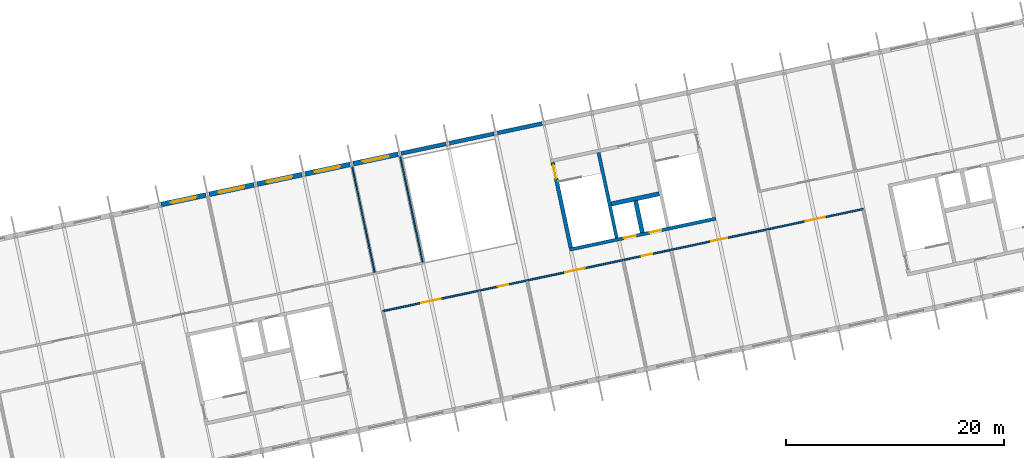
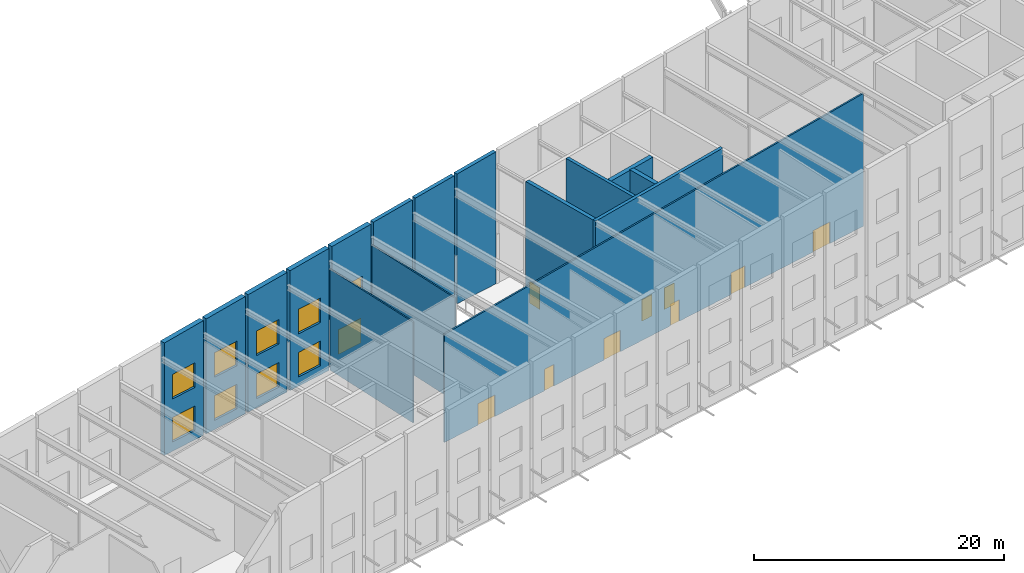
# One storey, part 46 of 69: 16 walls, 10 windows, 9 doors, 19 openings.
"""IFC4 building model written with IfcOpenShell, lengths in metres."""

from ifc_helpers import new_model, si_unit, direction, frame, frame_2d, origin, place, context, subcontext, project, spatial, polyline, rectangle, outline, extrude, material, layer, layer_set, type_object, element, fill, save


model = new_model("IFC4")

# Units and contexts
model_context = context("Model", 3, precision=1e-05, world=origin(), true_north=direction((0.0, 1.0)))
body_context = subcontext(model_context, "Body", "Model", "MODEL_VIEW")
ifc_project = project(units=[si_unit("LENGTHUNIT", "METRE"), si_unit("AREAUNIT", "SQUARE_METRE"), si_unit("VOLUMEUNIT", "CUBIC_METRE"), si_unit("PLANEANGLEUNIT", "RADIAN"), si_unit("MASSUNIT", "GRAM", prefix="KILO")], contexts=[model_context])

# Site, building, storey
site_placement = place(None, origin())
site = spatial("IfcSite", under=ifc_project, at=site_placement, CompositionType="ELEMENT")
building_placement = place(site_placement, origin())
building = spatial("IfcBuilding", under=site, at=building_placement, Name="Okhra Congress Centre", CompositionType="ELEMENT")
storey_placement = place(building_placement, frame((0.0, 0.0, 16.800048828125)))
storey = spatial("IfcBuildingStorey", under=building, at=storey_placement, Name="L03", CompositionType="ELEMENT", Elevation=16.800048828125)

# Wall, openings, windows
ifc_material_1 = material(Name="Insulated metal panel on steel stud (mineral wool, vapour barrier)", Category="steel")
ifc_layer_1 = layer(ifc_material_1, 0.449951171875)
ifc_layer_set_1 = layer_set([ifc_layer_1], Name="Insulated wall 450")
wall_type_1 = type_object("IfcWallType", Name="Insulated wall 450", PredefinedType="SOLIDWALL", material=ifc_layer_set_1)
wall_1_placement = place(storey_placement, frame((130.99609375, 66.22119140625, 0.0), z_axis=(0.0, 0.0, 1.0), x_axis=(0.978143927149, 0.207928972925, 0.0)))
wall_1 = element("IfcWall", 1, at=wall_1_placement, inside=storey, type_object=wall_type_1, Name="External wall N18 L03", PredefinedType="SOLIDWALL", context=body_context, shape_type="SweptSolid", body=[
    extrude(outline(polyline([(0.0, 0.0), (4.199951171875, 0.0), (4.199951171875, 11.18798828125), (0.0, 10.96337890625), (0.0, 0.0)])), frame((0.0, 0.22509765625, 0.0), z_axis=(0.0, -1.0, 0.0), x_axis=(1.0, 0.0, 0.0)), (0.0, 0.0, 1.0), 0.449951171875),
])
opening_1_placement = place(wall_1_placement, frame((0.89990234375, 0.0, 0.89990234375)))
opening_1 = element("IfcOpeningElement", 2, at=opening_1_placement, cuts=wall_1, Name="Opening WN22", PredefinedType="OPENING", context=body_context, shape_type="SweptSolid", body=[
    extrude(rectangle(XDim=2.39990234375, YDim=2.39990234375, at=frame_2d((1.199951171875, 1.199951171875))), frame((0.0, 0.23486328125, 0.0), z_axis=(0.0, -1.0, 0.0), x_axis=(1.0, 0.0, 0.0)), (0.0, 0.0, 1.0), 0.469970703125),
])
opening_2_placement = place(wall_1_placement, frame((0.89990234375, 0.0, 5.10009765625)))
opening_2 = element("IfcOpeningElement", 3, at=opening_2_placement, cuts=wall_1, Name="Opening WN22", PredefinedType="OPENING", context=body_context, shape_type="SweptSolid", body=[
    extrude(rectangle(XDim=2.39990234375, YDim=2.39990234375, at=frame_2d((1.199951171875, 1.199951171875))), frame((0.0, 0.23486328125, 0.0), z_axis=(0.0, -1.0, 0.0), x_axis=(1.0, 0.0, 0.0)), (0.0, 0.0, 1.0), 0.469970703125),
])
ifc_material_2 = material(Name="Thermally broken aluminium frame, triple glazing", Category="aluminium")
window_type = type_object("IfcWindowType", Name="Fixed window 2400x2400", PartitioningType="SINGLE_PANEL", PredefinedType="WINDOW", material=ifc_material_2)
window_1_placement = place(opening_1_placement, origin())
window_1 = element("IfcWindow", 4, at=window_1_placement, inside=storey, type_object=window_type, Name="BX.WIN.L03.97", OverallHeight=2.39990234375, OverallWidth=2.39990234375, PartitioningType="SINGLE_PANEL", PredefinedType="WINDOW", context=body_context, shape_type="SweptSolid", body=[
    extrude(rectangle(XDim=2.39990234375, YDim=2.39990234375, at=frame_2d((1.199951171875, 1.199951171875))), frame((0.0, 0.030029296875, 0.0), z_axis=(0.0, -1.0, 0.0), x_axis=(1.0, 0.0, 0.0)), (0.0, 0.0, 1.0), 0.06005859375),
])
fill(opening_1, window_1)
window_2_placement = place(opening_2_placement, origin())
window_2 = element("IfcWindow", 5, at=window_2_placement, inside=storey, type_object=window_type, Name="BX.WIN.L03.98", OverallHeight=2.39990234375, OverallWidth=2.39990234375, PartitioningType="SINGLE_PANEL", PredefinedType="WINDOW", context=body_context, shape_type="SweptSolid", body=[
    extrude(rectangle(XDim=2.39990234375, YDim=2.39990234375, at=frame_2d((1.199951171875, 1.199951171875))), frame((0.0, 0.030029296875, 0.0), z_axis=(0.0, -1.0, 0.0), x_axis=(1.0, 0.0, 0.0)), (0.0, 0.0, 1.0), 0.06005859375),
])
fill(opening_2, window_2)

wall_2_placement = place(storey_placement, frame((135.397705078125, 67.15673828125, 0.0), z_axis=(0.0, 0.0, 1.0), x_axis=(0.978146440129, 0.207917150959, 0.0)))
wall_2 = element("IfcWall", 6, at=wall_2_placement, inside=storey, type_object=wall_type_1, Name="External wall N19 L03", PredefinedType="SOLIDWALL", context=body_context, shape_type="SweptSolid", body=[
    extrude(outline(polyline([(0.0, 0.0), (4.2001953125, 0.0), (4.199951171875, 11.4287109375), (0.0, 11.2041015625), (0.0, 0.0)])), frame((0.0, 0.22509765625, 0.0), z_axis=(0.0, -1.0, 0.0), x_axis=(1.0, 0.0, 0.0)), (0.0, 0.0, 1.0), 0.449951171875),
])
opening_3_placement = place(wall_2_placement, frame((0.89990234375, 0.0, 0.89990234375)))
opening_3 = element("IfcOpeningElement", 7, at=opening_3_placement, cuts=wall_2, Name="Opening WN22", PredefinedType="OPENING", context=body_context, shape_type="SweptSolid", body=[
    extrude(rectangle(XDim=2.39990234375, YDim=2.39990234375, at=frame_2d((1.199951171875, 1.199951171875))), frame((0.0, 0.23486328125, 0.0), z_axis=(0.0, -1.0, 0.0), x_axis=(1.0, 0.0, 0.0)), (0.0, 0.0, 1.0), 0.469970703125),
])
opening_4_placement = place(wall_2_placement, frame((0.89990234375, 0.0, 5.10009765625)))
opening_4 = element("IfcOpeningElement", 8, at=opening_4_placement, cuts=wall_2, Name="Opening WN22", PredefinedType="OPENING", context=body_context, shape_type="SweptSolid", body=[
    extrude(rectangle(XDim=2.39990234375, YDim=2.39990234375, at=frame_2d((1.199951171875, 1.199951171875))), frame((0.0, 0.23486328125, 0.0), z_axis=(0.0, -1.0, 0.0), x_axis=(1.0, 0.0, 0.0)), (0.0, 0.0, 1.0), 0.469970703125),
])
window_3_placement = place(opening_3_placement, origin())
window_3 = element("IfcWindow", 9, at=window_3_placement, inside=storey, type_object=window_type, Name="BX.WIN.L03.99", OverallHeight=2.39990234375, OverallWidth=2.39990234375, PartitioningType="SINGLE_PANEL", PredefinedType="WINDOW", context=body_context, shape_type="SweptSolid", body=[
    extrude(rectangle(XDim=2.39990234375, YDim=2.39990234375, at=frame_2d((1.199951171875, 1.199951171875))), frame((0.0, 0.030029296875, 0.0), z_axis=(0.0, -1.0, 0.0), x_axis=(1.0, 0.0, 0.0)), (0.0, 0.0, 1.0), 0.06005859375),
])
fill(opening_3, window_3)
window_4_placement = place(opening_4_placement, origin())
window_4 = element("IfcWindow", 10, at=window_4_placement, inside=storey, type_object=window_type, Name="BX.WIN.L03.100", OverallHeight=2.39990234375, OverallWidth=2.39990234375, PartitioningType="SINGLE_PANEL", PredefinedType="WINDOW", context=body_context, shape_type="SweptSolid", body=[
    extrude(rectangle(XDim=2.39990234375, YDim=2.39990234375, at=frame_2d((1.199951171875, 1.199951171875))), frame((0.0, 0.030029296875, 0.0), z_axis=(0.0, -1.0, 0.0), x_axis=(1.0, 0.0, 0.0)), (0.0, 0.0, 1.0), 0.06005859375),
])
fill(opening_4, window_4)

wall_3_placement = place(storey_placement, frame((139.799560546875, 68.092529296875, 0.0), z_axis=(0.0, 0.0, 1.0), x_axis=(0.978155748334, 0.207873355681, 0.0)))
wall_3 = element("IfcWall", 11, at=wall_3_placement, inside=storey, type_object=wall_type_1, Name="External wall N20 L03", PredefinedType="SOLIDWALL", context=body_context, shape_type="SweptSolid", body=[
    extrude(outline(polyline([(0.0, 0.0), (4.199951171875, 0.0), (4.199951171875, 11.669677734375), (0.0, 11.44482421875), (0.0, 0.0)])), frame((0.0, 0.22509765625, 0.0), z_axis=(0.0, -1.0, 0.0), x_axis=(1.0, 0.0, 0.0)), (0.0, 0.0, 1.0), 0.449951171875),
])
opening_5_placement = place(wall_3_placement, frame((0.89990234375, 0.0, 0.89990234375)))
opening_5 = element("IfcOpeningElement", 12, at=opening_5_placement, cuts=wall_3, Name="Opening WN22", PredefinedType="OPENING", context=body_context, shape_type="SweptSolid", body=[
    extrude(rectangle(XDim=2.39990234375, YDim=2.39990234375, at=frame_2d((1.199951171875, 1.199951171875))), frame((0.0, 0.23486328125, 0.0), z_axis=(0.0, -1.0, 0.0), x_axis=(1.0, 0.0, 0.0)), (0.0, 0.0, 1.0), 0.469970703125),
])
opening_6_placement = place(wall_3_placement, frame((0.89990234375, 0.0, 5.10009765625)))
opening_6 = element("IfcOpeningElement", 13, at=opening_6_placement, cuts=wall_3, Name="Opening WN22", PredefinedType="OPENING", context=body_context, shape_type="SweptSolid", body=[
    extrude(rectangle(XDim=2.39990234375, YDim=2.39990234375, at=frame_2d((1.199951171875, 1.199951171875))), frame((0.0, 0.23486328125, 0.0), z_axis=(0.0, -1.0, 0.0), x_axis=(1.0, 0.0, 0.0)), (0.0, 0.0, 1.0), 0.469970703125),
])
window_5_placement = place(opening_5_placement, origin())
window_5 = element("IfcWindow", 14, at=window_5_placement, inside=storey, type_object=window_type, Name="BX.WIN.L03.101", OverallHeight=2.39990234375, OverallWidth=2.39990234375, PartitioningType="SINGLE_PANEL", PredefinedType="WINDOW", context=body_context, shape_type="SweptSolid", body=[
    extrude(rectangle(XDim=2.39990234375, YDim=2.39990234375, at=frame_2d((1.199951171875, 1.199951171875))), frame((0.0, 0.030029296875, 0.0), z_axis=(0.0, -1.0, 0.0), x_axis=(1.0, 0.0, 0.0)), (0.0, 0.0, 1.0), 0.06005859375),
])
fill(opening_5, window_5)
window_6_placement = place(opening_6_placement, origin())
window_6 = element("IfcWindow", 15, at=window_6_placement, inside=storey, type_object=window_type, Name="BX.WIN.L03.102", OverallHeight=2.39990234375, OverallWidth=2.39990234375, PartitioningType="SINGLE_PANEL", PredefinedType="WINDOW", context=body_context, shape_type="SweptSolid", body=[
    extrude(rectangle(XDim=2.39990234375, YDim=2.39990234375, at=frame_2d((1.199951171875, 1.199951171875))), frame((0.0, 0.030029296875, 0.0), z_axis=(0.0, -1.0, 0.0), x_axis=(1.0, 0.0, 0.0)), (0.0, 0.0, 1.0), 0.06005859375),
])
fill(opening_6, window_6)

wall_4_placement = place(storey_placement, frame((144.201171875, 69.028076171875, 0.0), z_axis=(0.0, 0.0, 1.0), x_axis=(0.978143927149, 0.207928972925, 0.0)))
wall_4 = element("IfcWall", 16, at=wall_4_placement, inside=storey, type_object=wall_type_1, Name="External wall N21 L03", PredefinedType="SOLIDWALL", context=body_context, shape_type="SweptSolid", body=[
    extrude(outline(polyline([(0.0, 0.0), (4.199951171875, 0.0), (4.199951171875, 11.910400390625), (0.0, 11.685546875), (0.0, 0.0)])), frame((0.0, 0.22509765625, 0.0), z_axis=(0.0, -1.0, 0.0), x_axis=(1.0, 0.0, 0.0)), (0.0, 0.0, 1.0), 0.449951171875),
])
opening_7_placement = place(wall_4_placement, frame((0.89990234375, 0.0, 0.89990234375)))
opening_7 = element("IfcOpeningElement", 17, at=opening_7_placement, cuts=wall_4, Name="Opening WN22", PredefinedType="OPENING", context=body_context, shape_type="SweptSolid", body=[
    extrude(rectangle(XDim=2.39990234375, YDim=2.39990234375, at=frame_2d((1.199951171875, 1.199951171875))), frame((0.0, 0.23486328125, 0.0), z_axis=(0.0, -1.0, 0.0), x_axis=(1.0, 0.0, 0.0)), (0.0, 0.0, 1.0), 0.469970703125),
])
opening_8_placement = place(wall_4_placement, frame((0.89990234375, 0.0, 5.10009765625)))
opening_8 = element("IfcOpeningElement", 18, at=opening_8_placement, cuts=wall_4, Name="Opening WN22", PredefinedType="OPENING", context=body_context, shape_type="SweptSolid", body=[
    extrude(rectangle(XDim=2.39990234375, YDim=2.39990234375, at=frame_2d((1.199951171875, 1.199951171875))), frame((0.0, 0.23486328125, 0.0), z_axis=(0.0, -1.0, 0.0), x_axis=(1.0, 0.0, 0.0)), (0.0, 0.0, 1.0), 0.469970703125),
])
window_7_placement = place(opening_7_placement, origin())
window_7 = element("IfcWindow", 19, at=window_7_placement, inside=storey, type_object=window_type, Name="BX.WIN.L03.103", OverallHeight=2.39990234375, OverallWidth=2.39990234375, PartitioningType="SINGLE_PANEL", PredefinedType="WINDOW", context=body_context, shape_type="SweptSolid", body=[
    extrude(rectangle(XDim=2.39990234375, YDim=2.39990234375, at=frame_2d((1.199951171875, 1.199951171875))), frame((0.0, 0.030029296875, 0.0), z_axis=(0.0, -1.0, 0.0), x_axis=(1.0, 0.0, 0.0)), (0.0, 0.0, 1.0), 0.06005859375),
])
fill(opening_7, window_7)
window_8_placement = place(opening_8_placement, origin())
window_8 = element("IfcWindow", 20, at=window_8_placement, inside=storey, type_object=window_type, Name="BX.WIN.L03.104", OverallHeight=2.39990234375, OverallWidth=2.39990234375, PartitioningType="SINGLE_PANEL", PredefinedType="WINDOW", context=body_context, shape_type="SweptSolid", body=[
    extrude(rectangle(XDim=2.39990234375, YDim=2.39990234375, at=frame_2d((1.199951171875, 1.199951171875))), frame((0.0, 0.030029296875, 0.0), z_axis=(0.0, -1.0, 0.0), x_axis=(1.0, 0.0, 0.0)), (0.0, 0.0, 1.0), 0.06005859375),
])
fill(opening_8, window_8)

wall_5_placement = place(storey_placement, frame((148.602783203125, 69.963623046875, 0.0), z_axis=(0.0, 0.0, 1.0), x_axis=(0.978143927149, 0.207928972925, 0.0)))
wall_5 = element("IfcWall", 21, at=wall_5_placement, inside=storey, type_object=wall_type_1, Name="External wall N22 L03", PredefinedType="SOLIDWALL", context=body_context, shape_type="SweptSolid", body=[
    extrude(outline(polyline([(0.0, 0.0), (4.199951171875, 0.0), (4.199951171875, 12.151123046875), (0.0, 11.926513671875), (0.0, 0.0)])), frame((0.0, 0.22509765625, 0.0), z_axis=(0.0, -1.0, 0.0), x_axis=(1.0, 0.0, 0.0)), (0.0, 0.0, 1.0), 0.449951171875),
])
opening_9_placement = place(wall_5_placement, frame((0.89990234375, 0.0, 0.89990234375)))
opening_9 = element("IfcOpeningElement", 22, at=opening_9_placement, cuts=wall_5, Name="Opening WN22", PredefinedType="OPENING", context=body_context, shape_type="SweptSolid", body=[
    extrude(rectangle(XDim=2.39990234375, YDim=2.39990234375, at=frame_2d((1.199951171875, 1.199951171875))), frame((0.0, 0.23486328125, 0.0), z_axis=(0.0, -1.0, 0.0), x_axis=(1.0, 0.0, 0.0)), (0.0, 0.0, 1.0), 0.469970703125),
])
opening_10_placement = place(wall_5_placement, frame((0.89990234375, 0.0, 5.10009765625)))
opening_10 = element("IfcOpeningElement", 23, at=opening_10_placement, cuts=wall_5, Name="Opening WN22", PredefinedType="OPENING", context=body_context, shape_type="SweptSolid", body=[
    extrude(rectangle(XDim=2.39990234375, YDim=2.39990234375, at=frame_2d((1.199951171875, 1.199951171875))), frame((0.0, 0.23486328125, 0.0), z_axis=(0.0, -1.0, 0.0), x_axis=(1.0, 0.0, 0.0)), (0.0, 0.0, 1.0), 0.469970703125),
])
window_9_placement = place(opening_9_placement, origin())
window_9 = element("IfcWindow", 24, at=window_9_placement, inside=storey, type_object=window_type, Name="BX.WIN.L03.105", OverallHeight=2.39990234375, OverallWidth=2.39990234375, PartitioningType="SINGLE_PANEL", PredefinedType="WINDOW", context=body_context, shape_type="SweptSolid", body=[
    extrude(rectangle(XDim=2.39990234375, YDim=2.39990234375, at=frame_2d((1.199951171875, 1.199951171875))), frame((0.0, 0.030029296875, 0.0), z_axis=(0.0, -1.0, 0.0), x_axis=(1.0, 0.0, 0.0)), (0.0, 0.0, 1.0), 0.06005859375),
])
fill(opening_9, window_9)
window_10_placement = place(opening_10_placement, origin())
window_10 = element("IfcWindow", 25, at=window_10_placement, inside=storey, type_object=window_type, Name="BX.WIN.L03.106", OverallHeight=2.39990234375, OverallWidth=2.39990234375, PartitioningType="SINGLE_PANEL", PredefinedType="WINDOW", context=body_context, shape_type="SweptSolid", body=[
    extrude(rectangle(XDim=2.39990234375, YDim=2.39990234375, at=frame_2d((1.199951171875, 1.199951171875))), frame((0.0, 0.030029296875, 0.0), z_axis=(0.0, -1.0, 0.0), x_axis=(1.0, 0.0, 0.0)), (0.0, 0.0, 1.0), 0.06005859375),
])
fill(opening_10, window_10)

# Walls
ifc_material_3 = material(Name="Gypsum board on steel studs", Category="steel")
ifc_layer_2 = layer(ifc_material_3, 0.125)
ifc_layer_set_2 = layer_set([ifc_layer_2], Name="Partition 125")
wall_type_2 = type_object("IfcWallType", Name="Partition 125", PredefinedType="PARTITIONING", material=ifc_layer_set_2)
wall_6_placement = place(storey_placement, frame((148.5029296875, 69.71240234375, 0.0), z_axis=(0.0, 0.0, 1.0), x_axis=(0.207904355568, -0.978149159861, 0.0)))
element("IfcWall", 26, at=wall_6_placement, inside=storey, type_object=wall_type_2, Name="Partition N L03", PredefinedType="PARTITIONING", context=body_context, shape_type="SweptSolid", body=[
    extrude(outline(polyline([(0.0, 0.0), (9.925048828125, 0.0), (9.925048828125, 9.825439453125), (0.0, 9.825439453125), (0.0, 0.0)])), frame((0.0, 0.0625, 0.0), z_axis=(0.0, -1.0, 0.0), x_axis=(1.0, 0.0, 0.0)), (0.0, 0.0, 1.0), 0.125),
])
wall_7_placement = place(storey_placement, frame((152.904541015625, 70.64794921875, 0.0), z_axis=(0.0, 0.0, 1.0), x_axis=(0.20790935802, -0.978148096582, 0.0)))
element("IfcWall", 27, at=wall_7_placement, inside=storey, type_object=wall_type_2, Name="Partition N L03", PredefinedType="PARTITIONING", context=body_context, shape_type="SweptSolid", body=[
    extrude(outline(polyline([(0.0, 0.0), (9.9248046875, 0.0), (9.925048828125, 10.066162109375), (0.0, 10.066162109375), (0.0, 0.0)])), frame((0.0, 0.0625, 0.0), z_axis=(0.0, -1.0, 0.0), x_axis=(1.0, 0.0, 0.0)), (0.0, 0.0, 1.0), 0.125),
])

# Wall, openings, doors
ifc_layer_3 = layer(ifc_material_3, 0.14990234375)
ifc_layer_set_3 = layer_set([ifc_layer_3], Name="Partition 150 EI 15")
wall_type_3 = type_object("IfcWallType", Name="Partition 150 EI 15", PredefinedType="PARTITIONING", material=ifc_layer_set_3)
wall_8_placement = place(storey_placement, frame((151.320068359375, 56.45849609375, 0.0), z_axis=(0.0, 0.0, 1.0), x_axis=(0.97814787394, 0.207910405482, 0.0)))
wall_8 = element("IfcWall", 28, at=wall_8_placement, inside=storey, type_object=wall_type_3, Name="Corridor wall S2 L03", PredefinedType="PARTITIONING", context=body_context, shape_type="SweptSolid", body=[
    extrude(outline(polyline([(0.0, 0.0), (45.0, 0.0), (45.0, 12.947998046875), (0.0, 10.540283203125), (0.0, 0.0)])), frame((0.0, 0.074951171875, 0.0), z_axis=(0.0, -1.0, 0.0), x_axis=(1.0, 0.0, 0.0)), (0.0, 0.0, 1.0), 0.14990234375),
])
opening_11_placement = place(wall_8_placement, frame((3.60009765625, 0.0, 0.0)))
opening_11 = element("IfcOpeningElement", 29, at=opening_11_placement, cuts=wall_8, Name="Opening L03-048", PredefinedType="OPENING", context=body_context, shape_type="SweptSolid", body=[
    extrude(rectangle(XDim=1.800048828125, YDim=2.10009765625, at=frame_2d((0.89990234375, 1.050048828125))), frame((0.0, 0.0849609375, 0.0), z_axis=(0.0, -1.0, 0.0), x_axis=(1.0, 0.0, 0.0)), (0.0, 0.0, 1.0), 0.169921875),
])
opening_12_placement = place(wall_8_placement, frame((10.75, 0.0, 0.0)))
opening_12 = element("IfcOpeningElement", 30, at=opening_12_placement, cuts=wall_8, Name="Opening L03-049", PredefinedType="OPENING", context=body_context, shape_type="SweptSolid", body=[
    extrude(rectangle(XDim=1.0, YDim=2.10009765625, at=frame_2d((0.5, 1.050048828125))), frame((0.0, 0.0849609375, 0.0), z_axis=(0.0, -1.0, 0.0), x_axis=(1.0, 0.0, 0.0)), (0.0, 0.0, 1.0), 0.169921875),
])
opening_13_placement = place(wall_8_placement, frame((17.10009765625, 0.0, 0.0)))
opening_13 = element("IfcOpeningElement", 31, at=opening_13_placement, cuts=wall_8, Name="Opening L03-050", PredefinedType="OPENING", context=body_context, shape_type="SweptSolid", body=[
    extrude(rectangle(XDim=1.800048828125, YDim=2.10009765625, at=frame_2d((0.89990234375, 1.050048828125))), frame((0.0, 0.0849609375, 0.0), z_axis=(0.0, -1.0, 0.0), x_axis=(1.0, 0.0, 0.0)), (0.0, 0.0, 1.0), 0.169921875),
])
opening_14_placement = place(wall_8_placement, frame((24.25, 0.0, 0.0)))
opening_14 = element("IfcOpeningElement", 32, at=opening_14_placement, cuts=wall_8, Name="Opening L03-051", PredefinedType="OPENING", context=body_context, shape_type="SweptSolid", body=[
    extrude(rectangle(XDim=1.0, YDim=2.10009765625, at=frame_2d((0.5, 1.050048828125))), frame((0.0, 0.0849609375, 0.0), z_axis=(0.0, -1.0, 0.0), x_axis=(1.0, 0.0, 0.0)), (0.0, 0.0, 1.0), 0.169921875),
])
opening_15_placement = place(wall_8_placement, frame((30.75, 0.0, 0.0)))
opening_15 = element("IfcOpeningElement", 33, at=opening_15_placement, cuts=wall_8, Name="Opening L03-052", PredefinedType="OPENING", context=body_context, shape_type="SweptSolid", body=[
    extrude(rectangle(XDim=1.5, YDim=2.10009765625, at=frame_2d((0.75, 1.050048828125))), frame((0.0, 0.0849609375, 0.0), z_axis=(0.0, -1.0, 0.0), x_axis=(1.0, 0.0, 0.0)), (0.0, 0.0, 1.0), 0.169921875),
])
opening_16_placement = place(wall_8_placement, frame((39.60009765625, 0.0, 0.0)))
opening_16 = element("IfcOpeningElement", 34, at=opening_16_placement, cuts=wall_8, Name="Opening L03-053", PredefinedType="OPENING", context=body_context, shape_type="SweptSolid", body=[
    extrude(rectangle(XDim=1.800048828125, YDim=2.10009765625, at=frame_2d((0.89990234375, 1.050048828125))), frame((0.0, 0.0849609375, 0.0), z_axis=(0.0, -1.0, 0.0), x_axis=(1.0, 0.0, 0.0)), (0.0, 0.0, 1.0), 0.169921875),
])
ifc_material_4 = material(Name="Timber door leaves in steel frame", Category="steel")
door_type_1 = type_object("IfcDoorType", Name="Double swing door 1500x2100", OperationType="NOTDEFINED", PredefinedType="DOOR", material=ifc_material_4)
door_1_placement = place(opening_15_placement, origin())
door_1 = element("IfcDoor", 35, at=door_1_placement, inside=storey, type_object=door_type_1, Name="Door L03-052", OperationType="DOUBLE_DOOR_SINGLE_SWING", OverallHeight=2.10009765625, OverallWidth=1.5, PredefinedType="DOOR", context=body_context, shape_type="SweptSolid", body=[
    extrude(rectangle(XDim=1.5, YDim=2.10009765625, at=frame_2d((0.75, 1.050048828125))), frame((0.0, 0.02490234375, 0.0), z_axis=(0.0, -1.0, 0.0), x_axis=(1.0, 0.0, 0.0)), (0.0, 0.0, 1.0), 0.050048828125),
])
fill(opening_15, door_1)
door_type_2 = type_object("IfcDoorType", Name="Double swing door 1800x2100", OperationType="NOTDEFINED", PredefinedType="DOOR", material=ifc_material_4)
door_2_placement = place(opening_11_placement, origin())
door_2 = element("IfcDoor", 36, at=door_2_placement, inside=storey, type_object=door_type_2, Name="Door L03-048", OperationType="DOUBLE_DOOR_SINGLE_SWING", OverallHeight=2.10009765625, OverallWidth=1.800048828125, PredefinedType="DOOR", context=body_context, shape_type="SweptSolid", body=[
    extrude(rectangle(XDim=1.800048828125, YDim=2.10009765625, at=frame_2d((0.89990234375, 1.050048828125))), frame((0.0, 0.02490234375, 0.0), z_axis=(0.0, -1.0, 0.0), x_axis=(1.0, 0.0, 0.0)), (0.0, 0.0, 1.0), 0.050048828125),
])
fill(opening_11, door_2)
door_3_placement = place(opening_13_placement, origin())
door_3 = element("IfcDoor", 37, at=door_3_placement, inside=storey, type_object=door_type_2, Name="Door L03-050", OperationType="DOUBLE_DOOR_SINGLE_SWING", OverallHeight=2.10009765625, OverallWidth=1.800048828125, PredefinedType="DOOR", context=body_context, shape_type="SweptSolid", body=[
    extrude(rectangle(XDim=1.800048828125, YDim=2.10009765625, at=frame_2d((0.89990234375, 1.050048828125))), frame((0.0, 0.02490234375, 0.0), z_axis=(0.0, -1.0, 0.0), x_axis=(1.0, 0.0, 0.0)), (0.0, 0.0, 1.0), 0.050048828125),
])
fill(opening_13, door_3)
door_4_placement = place(opening_16_placement, origin())
door_4 = element("IfcDoor", 38, at=door_4_placement, inside=storey, type_object=door_type_2, Name="Door L03-053", OperationType="DOUBLE_DOOR_SINGLE_SWING", OverallHeight=2.10009765625, OverallWidth=1.800048828125, PredefinedType="DOOR", context=body_context, shape_type="SweptSolid", body=[
    extrude(rectangle(XDim=1.800048828125, YDim=2.10009765625, at=frame_2d((0.89990234375, 1.050048828125))), frame((0.0, 0.02490234375, 0.0), z_axis=(0.0, -1.0, 0.0), x_axis=(1.0, 0.0, 0.0)), (0.0, 0.0, 1.0), 0.050048828125),
])
fill(opening_16, door_4)
ifc_material_5 = material(Name="Timber door leaf in steel frame", Category="steel")
door_type_3 = type_object("IfcDoorType", Name="Single swing door 1000x2100", OperationType="NOTDEFINED", PredefinedType="DOOR", material=ifc_material_5)
door_5_placement = place(opening_14_placement, frame((1.0, 0.0, 0.0), z_axis=(0.0, 0.0, 1.0), x_axis=(-1.0, 0.0, 0.0)))
door_5 = element("IfcDoor", 39, at=door_5_placement, inside=storey, type_object=door_type_3, Name="Door L03-051", OperationType="SINGLE_SWING_LEFT", OverallHeight=2.10009765625, OverallWidth=1.0, PredefinedType="DOOR", context=body_context, shape_type="SweptSolid", body=[
    extrude(rectangle(XDim=1.0, YDim=2.10009765625, at=frame_2d((0.5, 1.050048828125))), frame((0.0, 0.02490234375, 0.0), z_axis=(0.0, -1.0, 0.0), x_axis=(1.0, 0.0, 0.0)), (0.0, 0.0, 1.0), 0.050048828125),
])
fill(opening_14, door_5)
ifc_material_6 = material(Name="Steel fire door leaf in steel frame, intumescent seals", Category="steel")
door_type_4 = type_object("IfcDoorType", Name="Steel fire door 1000x2100 EI 30", OperationType="NOTDEFINED", PredefinedType="DOOR", material=ifc_material_6)
door_6_placement = place(opening_12_placement, frame((1.0, 0.0, 0.0), z_axis=(0.0, 0.0, 1.0), x_axis=(-1.0, 0.0, 0.0)))
door_6 = element("IfcDoor", 40, at=door_6_placement, inside=storey, type_object=door_type_4, Name="Door L03-049", OperationType="SINGLE_SWING_LEFT", OverallHeight=2.10009765625, OverallWidth=1.0, PredefinedType="DOOR", context=body_context, shape_type="SweptSolid", body=[
    extrude(rectangle(XDim=1.0, YDim=2.10009765625, at=frame_2d((0.5, 1.050048828125))), frame((0.0, 0.02490234375, 0.0), z_axis=(0.0, -1.0, 0.0), x_axis=(1.0, 0.0, 0.0)), (0.0, 0.0, 1.0), 0.050048828125),
])
fill(opening_12, door_6)

ifc_material_7 = material(Name="Concrete C35/45", Category="concrete")
ifc_layer_4 = layer(ifc_material_7, 0.300048828125)
ifc_layer_set_4 = layer_set([ifc_layer_4], Name="RC core wall 300 REI 120 C35/45")
wall_type_4 = type_object("IfcWallType", Name="RC core wall 300 REI 120 C35/45", PredefinedType="SHEAR", material=ifc_layer_set_4)
wall_9_placement = place(storey_placement, frame((168.42333984375, 62.08740234375, 0.0), z_axis=(0.0, 0.0, 1.0), x_axis=(0.978147662755, 0.20791139903, 0.0)))
wall_9 = element("IfcWall", 41, at=wall_9_placement, inside=storey, type_object=wall_type_4, Name="BX.WALL.L03.K4T", PredefinedType="SHEAR", context=body_context, shape_type="SweptSolid", body=[
    extrude(outline(polyline([(0.0, 0.0), (13.699951171875, 0.0), (13.699951171875, 12.9287109375), (0.0, 12.19580078125), (0.0, 0.0)])), frame((0.0, 0.14990234375, 0.0), z_axis=(0.0, -1.0, 0.0), x_axis=(1.0, 0.0, 0.0)), (0.0, 0.0, 1.0), 0.300048828125),
])
opening_17_placement = place(wall_9_placement, frame((5.10009765625, 0.0, 0.0)))
opening_17 = element("IfcOpeningElement", 42, at=opening_17_placement, cuts=wall_9, Name="Opening L03-034", PredefinedType="OPENING", context=body_context, shape_type="SweptSolid", body=[
    extrude(rectangle(XDim=1.10009765625, YDim=2.10009765625, at=frame_2d((0.550048828125, 1.050048828125))), frame((0.0, 0.159912109375, 0.0), z_axis=(0.0, -1.0, 0.0), x_axis=(1.0, 0.0, 0.0)), (0.0, 0.0, 1.0), 0.320068359375),
])
opening_18_placement = place(wall_9_placement, frame((7.5, 0.0, 0.0)))
opening_18 = element("IfcOpeningElement", 43, at=opening_18_placement, cuts=wall_9, Name="Opening L03-035", PredefinedType="OPENING", context=body_context, shape_type="SweptSolid", body=[
    extrude(rectangle(XDim=1.10009765625, YDim=2.10009765625, at=frame_2d((0.550048828125, 1.050048828125))), frame((0.0, 0.159912109375, 0.0), z_axis=(0.0, -1.0, 0.0), x_axis=(1.0, 0.0, 0.0)), (0.0, 0.0, 1.0), 0.320068359375),
])
ifc_material_8 = material(Name="Stainless steel sliding landing door leaves", Category="steel")
door_type_5 = type_object("IfcDoorType", Name="Lift landing door 1100x2100 EI 30", OperationType="DOUBLE_DOOR_SLIDING", PredefinedType="DOOR", material=ifc_material_8)
door_7_placement = place(opening_17_placement, frame((1.10009765625, 0.0, 0.0), z_axis=(0.0, 0.0, 1.0), x_axis=(-1.0, 0.0, 0.0)))
door_7 = element("IfcDoor", 44, at=door_7_placement, inside=storey, type_object=door_type_5, Name="Door L03-034", OperationType="DOUBLE_DOOR_SLIDING", OverallHeight=2.10009765625, OverallWidth=1.10009765625, PredefinedType="DOOR", context=body_context, shape_type="SweptSolid", body=[
    extrude(rectangle(XDim=1.10009765625, YDim=2.10009765625, at=frame_2d((0.550048828125, 1.050048828125))), frame((0.0, 0.02490234375, 0.0), z_axis=(0.0, -1.0, 0.0), x_axis=(1.0, 0.0, 0.0)), (0.0, 0.0, 1.0), 0.050048828125),
])
fill(opening_17, door_7)
door_8_placement = place(opening_18_placement, frame((1.10009765625, 0.0, 0.0), z_axis=(0.0, 0.0, 1.0), x_axis=(-1.0, 0.0, 0.0)))
door_8 = element("IfcDoor", 45, at=door_8_placement, inside=storey, type_object=door_type_5, Name="Door L03-035", OperationType="DOUBLE_DOOR_SLIDING", OverallHeight=2.10009765625, OverallWidth=1.10009765625, PredefinedType="DOOR", context=body_context, shape_type="SweptSolid", body=[
    extrude(rectangle(XDim=1.10009765625, YDim=2.10009765625, at=frame_2d((0.550048828125, 1.050048828125))), frame((0.0, 0.02490234375, 0.0), z_axis=(0.0, -1.0, 0.0), x_axis=(1.0, 0.0, 0.0)), (0.0, 0.0, 1.0), 0.050048828125),
])
fill(opening_18, door_8)

# Walls
wall_10_placement = place(storey_placement, frame((171.081787109375, 70.984619140625, 0.0), z_axis=(0.0, 0.0, 1.0), x_axis=(0.207915693476, -0.978146749934, 0.0)))
element("IfcWall", 46, at=wall_10_placement, inside=storey, type_object=wall_type_4, Name="BX.WALL.L03.K4P1", PredefinedType="SHEAR", context=body_context, shape_type="SweptSolid", body=[
    extrude(outline(polyline([(0.0, 0.0), (8.0, 0.0), (8.0, 12.426025390625), (0.0, 12.0068359375), (0.0, 0.0)])), frame((0.0, 0.14990234375, 0.0), z_axis=(0.0, -1.0, 0.0), x_axis=(1.0, 0.0, 0.0)), (0.0, 0.0, 1.0), 0.300048828125),
])
ifc_layer_5 = layer(ifc_material_7, 0.39990234375)
ifc_layer_set_5 = layer_set([ifc_layer_5], Name="RC core wall 400 REI 120 C35/45")
wall_type_5 = type_object("IfcWallType", Name="RC core wall 400 REI 120 C35/45", PredefinedType="SHEAR", material=ifc_layer_set_5)
wall_11_placement = place(storey_placement, frame((174.46875, 66.5927734375, 0.0), z_axis=(0.0, 0.0, 1.0), x_axis=(0.207933702079, -0.978142921837, 0.0)))
element("IfcWall", 47, at=wall_11_placement, inside=storey, type_object=wall_type_5, Name="BX.WALL.L03.K4D", PredefinedType="SHEAR", context=body_context, shape_type="SweptSolid", body=[
    extrude(outline(polyline([(0.0, 0.0), (3.0, 0.0), (3.0, 12.554443359375), (0.0, 12.397216796875), (0.0, 0.0)])), frame((0.0, 0.199951171875, 0.0), z_axis=(0.0, -1.0, 0.0), x_axis=(1.0, 0.0, 0.0)), (0.0, 0.0, 1.0), 0.39990234375),
])
wall_12_placement = place(storey_placement, frame((172.23681640625, 66.271728515625, 0.0), z_axis=(0.0, 0.0, 1.0), x_axis=(0.978149611564, 0.20790223038, 0.0)))
element("IfcWall", 48, at=wall_12_placement, inside=storey, type_object=wall_type_5, Name="BX.WALL.L03.K4R", PredefinedType="SHEAR", context=body_context, shape_type="SweptSolid", body=[
    extrude(outline(polyline([(0.0, 0.0), (4.5, 0.0), (4.5, 12.509765625), (0.0, 12.26904296875), (0.0, 0.0)])), frame((0.0, 0.199951171875, 0.0), z_axis=(0.0, -1.0, 0.0), x_axis=(1.0, 0.0, 0.0)), (0.0, 0.0, 1.0), 0.39990234375),
])
ifc_material_9 = material(Name="Concrete C30/37", Category="concrete")
ifc_layer_6 = layer(ifc_material_9, 0.35009765625)
ifc_layer_set_6 = layer_set([ifc_layer_6], Name="RC fire wall 350 REI 150 C30/37")
wall_type_6 = type_object("IfcWallType", Name="RC fire wall 350 REI 150 C30/37", PredefinedType="SOLIDWALL", material=ifc_layer_set_6)
wall_13_placement = place(storey_placement, frame((153.00439453125, 70.899169921875, 0.0), z_axis=(0.0, 0.0, 1.0), x_axis=(0.978143927149, 0.207928972925, 0.0)))
element("IfcWall", 49, at=wall_13_placement, inside=storey, type_object=wall_type_6, Name="Fire wall N23 L03", PredefinedType="SOLIDWALL", context=body_context, shape_type="SweptSolid", body=[
    extrude(outline(polyline([(0.0, 0.0), (4.199951171875, 0.0), (4.199951171875, 12.391845703125), (0.0, 12.167236328125), (0.0, 0.0)])), frame((0.0, 0.175048828125, 0.0), z_axis=(0.0, -1.0, 0.0), x_axis=(1.0, 0.0, 0.0)), (0.0, 0.0, 1.0), 0.35009765625),
])
wall_14_placement = place(storey_placement, frame((157.406005859375, 71.834716796875, 0.0), z_axis=(0.0, 0.0, 1.0), x_axis=(0.978146440129, 0.207917150959, 0.0)))
element("IfcWall", 50, at=wall_14_placement, inside=storey, type_object=wall_type_6, Name="Fire wall N24 L03", PredefinedType="SOLIDWALL", context=body_context, shape_type="SweptSolid", body=[
    extrude(outline(polyline([(0.0, 0.0), (4.2001953125, 0.0), (4.199951171875, 12.632568359375), (0.0, 12.407958984375), (0.0, 0.0)])), frame((0.0, 0.175048828125, 0.0), z_axis=(0.0, -1.0, 0.0), x_axis=(1.0, 0.0, 0.0)), (0.0, 0.0, 1.0), 0.35009765625),
])
wall_15_placement = place(storey_placement, frame((161.807861328125, 72.7705078125, 0.0), z_axis=(0.0, 0.0, 1.0), x_axis=(0.978155748334, 0.207873355681, 0.0)))
element("IfcWall", 51, at=wall_15_placement, inside=storey, type_object=wall_type_6, Name="Fire wall N25 L03", PredefinedType="SOLIDWALL", context=body_context, shape_type="SweptSolid", body=[
    extrude(outline(polyline([(0.0, 0.0), (4.199951171875, 0.0), (4.199951171875, 12.87353515625), (0.0, 12.648681640625), (0.0, 0.0)])), frame((0.0, 0.175048828125, 0.0), z_axis=(0.0, -1.0, 0.0), x_axis=(1.0, 0.0, 0.0)), (0.0, 0.0, 1.0), 0.35009765625),
])

# Wall, opening, door
ifc_layer_7 = layer(ifc_material_9, 0.35009765625)
ifc_layer_set_7 = layer_set([ifc_layer_7], Name="RC wall 350 REI 120 C30/37")
wall_type_7 = type_object("IfcWallType", Name="RC wall 350 REI 120 C30/37", PredefinedType="SOLIDWALL", material=ifc_layer_set_7)
wall_16_placement = place(storey_placement, frame((166.875732421875, 70.090576171875, 0.0), z_axis=(0.0, 0.0, 1.0), x_axis=(0.207915693476, -0.978146749934, 0.0)))
wall_16 = element("IfcWall", 52, at=wall_16_placement, inside=storey, type_object=wall_type_7, Name="BX.WALL.L03.K4W", PredefinedType="SOLIDWALL", context=body_context, shape_type="SweptSolid", body=[
    extrude(outline(polyline([(0.0, 0.0), (8.0, 0.0), (8.0, 12.196044921875), (0.0, 11.776611328125), (0.0, 0.0)])), frame((0.0, 0.175048828125, 0.0), z_axis=(0.0, -1.0, 0.0), x_axis=(1.0, 0.0, 0.0)), (0.0, 0.0, 1.0), 0.35009765625),
])
opening_19_placement = place(wall_16_placement, frame((0.300048828125, 0.0, 0.0)))
opening_19 = element("IfcOpeningElement", 53, at=opening_19_placement, cuts=wall_16, Name="Opening L03-036", PredefinedType="OPENING", context=body_context, shape_type="SweptSolid", body=[
    extrude(rectangle(XDim=1.199951171875, YDim=2.10009765625, at=frame_2d((0.60009765625, 1.050048828125))), frame((0.0, 0.18505859375, 0.0), z_axis=(0.0, -1.0, 0.0), x_axis=(1.0, 0.0, 0.0)), (0.0, 0.0, 1.0), 0.3701171875),
])
door_type_6 = type_object("IfcDoorType", Name="Steel fire door 1200x2100 EI 30", OperationType="NOTDEFINED", PredefinedType="DOOR", material=ifc_material_6)
door_9_placement = place(opening_19_placement, frame((1.199951171875, 0.0, 0.0), z_axis=(0.0, 0.0, 1.0), x_axis=(-1.0, 0.0, 0.0)))
door_9 = element("IfcDoor", 54, at=door_9_placement, inside=storey, type_object=door_type_6, Name="Door L03-036", OperationType="SINGLE_SWING_RIGHT", OverallHeight=2.10009765625, OverallWidth=1.199951171875, PredefinedType="DOOR", context=body_context, shape_type="SweptSolid", body=[
    extrude(rectangle(XDim=1.199951171875, YDim=2.10009765625, at=frame_2d((0.60009765625, 1.050048828125))), frame((0.0, 0.02490234375, 0.0), z_axis=(0.0, -1.0, 0.0), x_axis=(1.0, 0.0, 0.0)), (0.0, 0.0, 1.0), 0.050048828125),
])
fill(opening_19, door_9)

save(model, "model.ifc")
